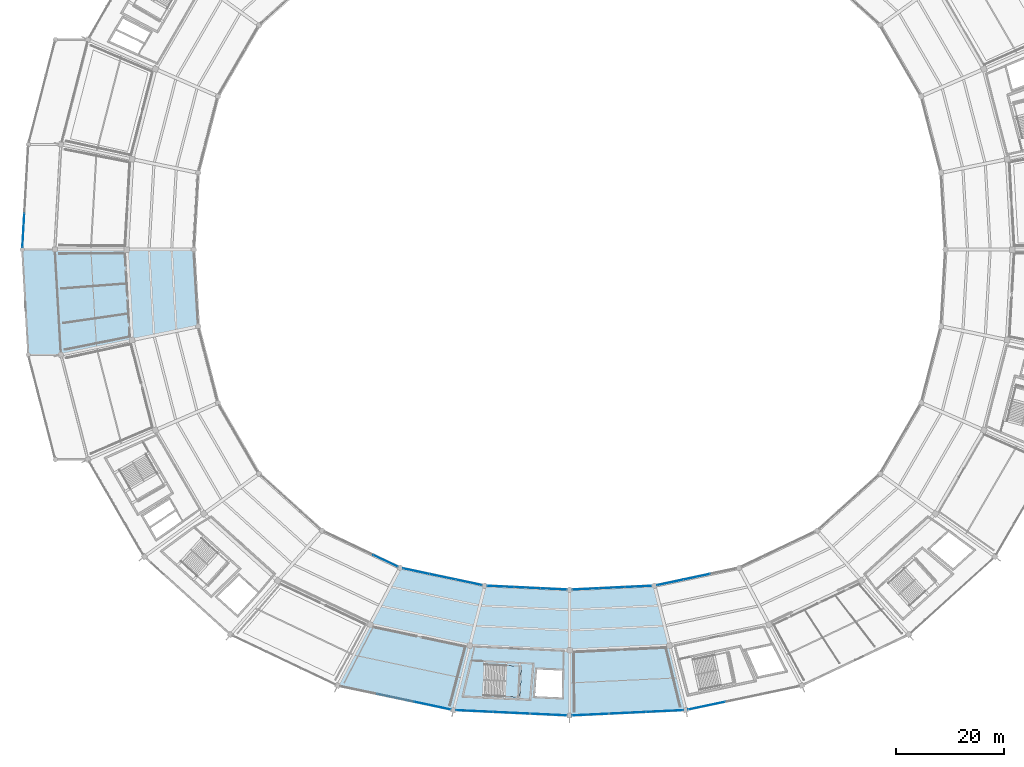
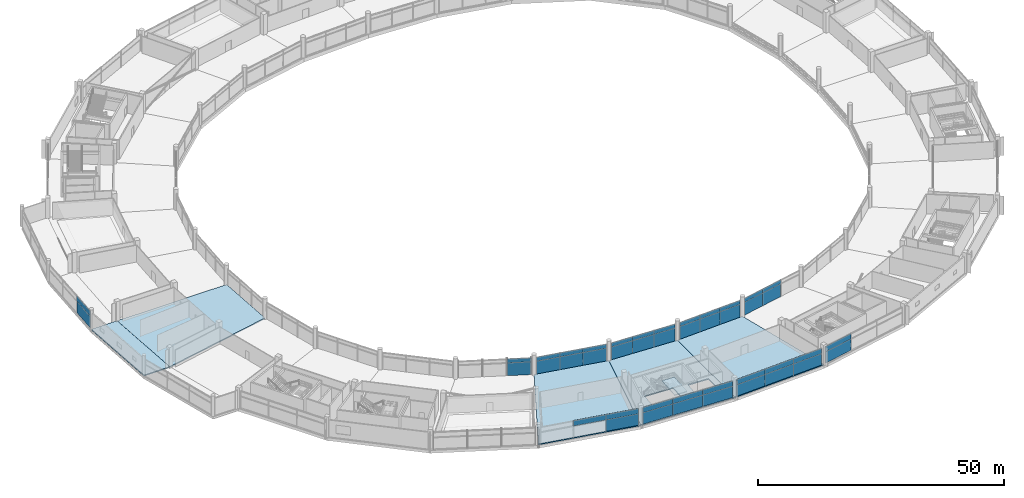
# One storey, part 138 of 184: 43 plates, 6 slabs, 11 elements without a shape of their own.
"""IFC4 building model written with IfcOpenShell, lengths in metres."""

from ifc_helpers import new_model, si_unit, direction, frame, origin, origin_2d, place, context, subcontext, project, spatial, polyline, rectangle, outline, extrude, material, layer, layer_set, type_object, element, aggregate, save


model = new_model("IFC4")

# Units and contexts
model_context = context("Model", 3, precision=1e-05, world=origin(), true_north=direction((0.0, 1.0)))
body_context = subcontext(model_context, "Body", "Model", "MODEL_VIEW")
ifc_project = project(units=[si_unit("LENGTHUNIT", "METRE"), si_unit("AREAUNIT", "SQUARE_METRE"), si_unit("VOLUMEUNIT", "CUBIC_METRE"), si_unit("PLANEANGLEUNIT", "RADIAN"), si_unit("MASSUNIT", "GRAM", prefix="KILO")], contexts=[model_context])

# Site, building, storey
site_placement = place(None, origin())
site = spatial("IfcSite", under=ifc_project, at=site_placement, CompositionType="ELEMENT")
building_placement = place(site_placement, origin())
building = spatial("IfcBuilding", under=site, at=building_placement, Name="Kazemori Nagisa Stadium", CompositionType="ELEMENT")
storey_placement = place(building_placement, frame((0.0, 0.0, 10.5400390625)))
storey = spatial("IfcBuildingStorey", under=building, at=storey_placement, Name="L02", CompositionType="ELEMENT", Elevation=10.5400390625)

# Curtain wall, plates
ifc_material_1 = material(Name="Anodised aluminium 6063-T5", Category="aluminium")
ifc_layer_1 = layer(ifc_material_1, 0.2099609375, Name="Anodised aluminium 6063-T5", Category="aluminium")
ifc_layer_set_1 = layer_set([ifc_layer_1], Name="Anodised aluminium 6063-T5")
curtain_wall_type_1 = type_object("IfcCurtainWallType", Name="CW_L02B_73", PredefinedType="USERDEFINED", material=ifc_layer_set_1)
curtain_wall_1_placement = place(storey_placement, origin())
curtain_wall_1 = element("IfcCurtainWall", 1, at=curtain_wall_1_placement, inside=storey, type_object=curtain_wall_type_1, Name="Unitised curtain wall CW-L02B-73 L02", ObjectType="UNITISED CURTAIN WALL", PredefinedType="USERDEFINED")
ifc_material_2 = material(Name="Anodised aluminium spandrel sheet", Category="aluminium")
ifc_layer_2 = layer(ifc_material_2, 0.044921875, Name="Anodised aluminium spandrel sheet", Category="aluminium")
ifc_layer_set_2 = layer_set([ifc_layer_2], Name="Anodised aluminium spandrel sheet")
plate_type_1 = type_object("IfcPlateType", Name="CWPanel_SPN_L02B_73", PredefinedType="CURTAIN_PANEL", material=ifc_layer_set_2)
plate_1_placement = place(storey_placement, frame((110.321044921875, 39.819580078125, 3.1845703125), z_axis=(0.0, 0.0, 1.0), x_axis=(0.998884022476, -0.047230388971, 0.0)))
plate_1 = element("IfcPlate", 2, at=plate_1_placement, type_object=plate_type_1, Name="Curtain wall spandrel panel CW-L02B-73-S1", PredefinedType="CURTAIN_PANEL", context=body_context, shape_type="SweptSolid", body=[
    extrude(rectangle(XDim=4.83935546875, YDim=0.044921875, at=origin_2d()), origin(), (0.0, 0.0, 1.0), 1.005615234375),
])
plate_2_placement = place(storey_placement, frame((115.178955078125, 39.58984375, 3.1845703125), z_axis=(0.0, 0.0, 1.0), x_axis=(0.998884022476, -0.047230388971, 0.0)))
plate_2 = element("IfcPlate", 3, at=plate_2_placement, type_object=plate_type_1, Name="Curtain wall spandrel panel CW-L02B-73-S2", PredefinedType="CURTAIN_PANEL", context=body_context, shape_type="SweptSolid", body=[
    extrude(rectangle(XDim=4.83935546875, YDim=0.044921875, at=origin_2d()), origin(), (0.0, 0.0, 1.0), 1.005615234375),
])
plate_3_placement = place(storey_placement, frame((120.03662109375, 39.360107421875, 3.1845703125), z_axis=(0.0, 0.0, 1.0), x_axis=(0.998884022476, -0.047230388971, 0.0)))
plate_3 = element("IfcPlate", 4, at=plate_3_placement, type_object=plate_type_1, Name="Curtain wall spandrel panel CW-L02B-73-S3", PredefinedType="CURTAIN_PANEL", context=body_context, shape_type="SweptSolid", body=[
    extrude(rectangle(XDim=4.83935546875, YDim=0.044921875, at=origin_2d()), origin(), (0.0, 0.0, 1.0), 1.005615234375),
])

curtain_wall_2_placement = place(storey_placement, origin())
curtain_wall_2 = element("IfcCurtainWall", 5, at=curtain_wall_2_placement, inside=storey, type_object=curtain_wall_type_1, Name="Unitised curtain wall CW-L02B-73 L02", ObjectType="UNITISED CURTAIN WALL", PredefinedType="USERDEFINED")
plate_4_placement = place(storey_placement, frame((125.96337890625, 39.360107421875, 3.1845703125), z_axis=(0.0, 0.0, 1.0), x_axis=(0.998884022476, 0.047230388971, 0.0)))
plate_4 = element("IfcPlate", 6, at=plate_4_placement, type_object=plate_type_1, Name="Curtain wall spandrel panel CW-L02B-73-S1", PredefinedType="CURTAIN_PANEL", context=body_context, shape_type="SweptSolid", body=[
    extrude(rectangle(XDim=4.83935546875, YDim=0.044921875, at=origin_2d()), origin(), (0.0, 0.0, 1.0), 1.005615234375),
])
plate_5_placement = place(storey_placement, frame((130.821044921875, 39.58984375, 3.1845703125), z_axis=(0.0, 0.0, 1.0), x_axis=(0.998884022476, 0.047230388971, 0.0)))
plate_5 = element("IfcPlate", 7, at=plate_5_placement, type_object=plate_type_1, Name="Curtain wall spandrel panel CW-L02B-73-S2", PredefinedType="CURTAIN_PANEL", context=body_context, shape_type="SweptSolid", body=[
    extrude(rectangle(XDim=4.83935546875, YDim=0.044921875, at=origin_2d()), origin(), (0.0, 0.0, 1.0), 1.005615234375),
])
plate_6_placement = place(storey_placement, frame((135.678955078125, 39.819580078125, 3.1845703125), z_axis=(0.0, 0.0, 1.0), x_axis=(0.998884022476, 0.047230388971, 0.0)))
plate_6 = element("IfcPlate", 8, at=plate_6_placement, type_object=plate_type_1, Name="Curtain wall spandrel panel CW-L02B-73-S3", PredefinedType="CURTAIN_PANEL", context=body_context, shape_type="SweptSolid", body=[
    extrude(rectangle(XDim=4.83935546875, YDim=0.044921875, at=origin_2d()), origin(), (0.0, 0.0, 1.0), 1.005615234375),
])

# Curtain wall, plate
ifc_layer_3 = layer(ifc_material_1, 0.2099609375, Name="Anodised aluminium 6063-T5", Category="aluminium")
ifc_layer_set_3 = layer_set([ifc_layer_3], Name="Anodised aluminium 6063-T5")
curtain_wall_type_2 = type_object("IfcCurtainWallType", Name="CW_L02B_75", PredefinedType="USERDEFINED", material=ifc_layer_set_3)
curtain_wall_3_placement = place(storey_placement, origin())
curtain_wall_3 = element("IfcCurtainWall", 9, at=curtain_wall_3_placement, inside=storey, type_object=curtain_wall_type_2, Name="Unitised curtain wall CW-L02B-75 L02", ObjectType="UNITISED CURTAIN WALL", PredefinedType="USERDEFINED")
ifc_layer_4 = layer(ifc_material_2, 0.044921875, Name="Anodised aluminium spandrel sheet", Category="aluminium")
ifc_layer_set_4 = layer_set([ifc_layer_4], Name="Anodised aluminium spandrel sheet")
plate_type_2 = type_object("IfcPlateType", Name="CWPanel_SPN_L02B_75", PredefinedType="CURTAIN_PANEL", material=ifc_layer_set_4)
plate_7_placement = place(storey_placement, frame((89.022216796875, 44.55859375, 3.1845703125), z_axis=(0.0, 0.0, 1.0), x_axis=(0.903215892654, -0.429186499388, 0.0)))
plate_7 = element("IfcPlate", 10, at=plate_7_placement, type_object=plate_type_2, Name="Curtain wall spandrel panel CW-L02B-75-S3", PredefinedType="CURTAIN_PANEL", context=body_context, shape_type="SweptSolid", body=[
    extrude(rectangle(XDim=4.95166015625, YDim=0.044921875, at=origin_2d()), origin(), (0.0, 0.0, 1.0), 1.005615234375),
])

# Curtain wall, plates
curtain_wall_4_placement = place(storey_placement, origin())
curtain_wall_4 = element("IfcCurtainWall", 11, at=curtain_wall_4_placement, inside=storey, type_object=curtain_wall_type_2, Name="Unitised curtain wall CW-L02B-75 L02", ObjectType="UNITISED CURTAIN WALL", PredefinedType="USERDEFINED")
plate_8_placement = place(storey_placement, frame((94.702392578125, 42.636962890625, 3.1845703125), z_axis=(0.0, 0.0, 1.0), x_axis=(0.978344955407, -0.206981033502, 0.0)))
plate_8 = element("IfcPlate", 12, at=plate_8_placement, type_object=plate_type_2, Name="Curtain wall spandrel panel CW-L02B-75-S1", PredefinedType="CURTAIN_PANEL", context=body_context, shape_type="SweptSolid", body=[
    extrude(rectangle(XDim=4.936279296875, YDim=0.044921875, at=origin_2d()), origin(), (0.0, 0.0, 1.0), 1.005615234375),
])
plate_9_placement = place(storey_placement, frame((99.55517578125, 41.6103515625, 3.1845703125), z_axis=(0.0, 0.0, 1.0), x_axis=(0.978344955407, -0.206981033502, 0.0)))
plate_9 = element("IfcPlate", 13, at=plate_9_placement, type_object=plate_type_2, Name="Curtain wall spandrel panel CW-L02B-75-S2", PredefinedType="CURTAIN_PANEL", context=body_context, shape_type="SweptSolid", body=[
    extrude(rectangle(XDim=4.936279296875, YDim=0.044921875, at=origin_2d()), origin(), (0.0, 0.0, 1.0), 1.005615234375),
])
plate_10_placement = place(storey_placement, frame((104.407958984375, 40.583740234375, 3.1845703125), z_axis=(0.0, 0.0, 1.0), x_axis=(0.978344955407, -0.206981033502, 0.0)))
plate_10 = element("IfcPlate", 14, at=plate_10_placement, type_object=plate_type_2, Name="Curtain wall spandrel panel CW-L02B-75-S3", PredefinedType="CURTAIN_PANEL", context=body_context, shape_type="SweptSolid", body=[
    extrude(rectangle(XDim=4.936279296875, YDim=0.044921875, at=origin_2d()), origin(), (0.0, 0.0, 1.0), 1.005615234375),
])

curtain_wall_5_placement = place(storey_placement, origin())
curtain_wall_5 = element("IfcCurtainWall", 15, at=curtain_wall_5_placement, inside=storey, type_object=curtain_wall_type_2, Name="Unitised curtain wall CW-L02B-75 L02", ObjectType="UNITISED CURTAIN WALL", PredefinedType="USERDEFINED")
plate_11_placement = place(storey_placement, frame((141.592041015625, 40.583740234375, 3.1845703125), z_axis=(0.0, 0.0, 1.0), x_axis=(0.978344955407, 0.206981033502, 0.0)))
plate_11 = element("IfcPlate", 16, at=plate_11_placement, type_object=plate_type_2, Name="Curtain wall spandrel panel CW-L02B-75-S1", PredefinedType="CURTAIN_PANEL", context=body_context, shape_type="SweptSolid", body=[
    extrude(rectangle(XDim=4.936279296875, YDim=0.044921875, at=origin_2d()), origin(), (0.0, 0.0, 1.0), 1.005615234375),
])
plate_12_placement = place(storey_placement, frame((146.44482421875, 41.6103515625, 3.1845703125), z_axis=(0.0, 0.0, 1.0), x_axis=(0.978344955407, 0.206981033502, 0.0)))
plate_12 = element("IfcPlate", 17, at=plate_12_placement, type_object=plate_type_2, Name="Curtain wall spandrel panel CW-L02B-75-S2", PredefinedType="CURTAIN_PANEL", context=body_context, shape_type="SweptSolid", body=[
    extrude(rectangle(XDim=4.936279296875, YDim=0.044921875, at=origin_2d()), origin(), (0.0, 0.0, 1.0), 1.005615234375),
])

ifc_layer_5 = layer(ifc_material_1, 0.2099609375, Name="Anodised aluminium 6063-T5", Category="aluminium")
ifc_layer_set_5 = layer_set([ifc_layer_5], Name="Anodised aluminium 6063-T5")
curtain_wall_type_3 = type_object("IfcCurtainWallType", Name="CW_L02R3_103", PredefinedType="USERDEFINED", material=ifc_layer_set_5)
curtain_wall_6_placement = place(storey_placement, origin())
curtain_wall_6 = element("IfcCurtainWall", 18, at=curtain_wall_6_placement, inside=storey, type_object=curtain_wall_type_3, Name="Unitised curtain wall CW-L02R3-103 L02", ObjectType="UNITISED CURTAIN WALL", PredefinedType="USERDEFINED")
ifc_layer_6 = layer(ifc_material_2, 0.048095703125, Name="Anodised aluminium spandrel sheet", Category="aluminium")
ifc_layer_set_6 = layer_set([ifc_layer_6], Name="Anodised aluminium spandrel sheet")
plate_type_3 = type_object("IfcPlateType", Name="CWPanel_SPN_L02R3_103", PredefinedType="CURTAIN_PANEL", material=ifc_layer_set_6)
plate_13_placement = place(storey_placement, frame((105.4599609375, 16.829345703125, 2.84912109375), z_axis=(0.0, 0.0, 1.0), x_axis=(0.998884022476, -0.047230388971, 0.0)))
plate_13 = element("IfcPlate", 19, at=plate_13_placement, type_object=plate_type_3, Name="Curtain wall spandrel panel CW-L02R3-103-S1", PredefinedType="CURTAIN_PANEL", context=body_context, shape_type="SweptSolid", body=[
    extrude(rectangle(XDim=6.81005859375, YDim=0.048095703125, at=origin_2d()), origin(), (0.0, 0.0, 1.0), 1.3408203125),
])
plate_14_placement = place(storey_placement, frame((112.2861328125, 16.506591796875, 2.84912109375), z_axis=(0.0, 0.0, 1.0), x_axis=(0.998884022476, -0.047230388971, 0.0)))
plate_14 = element("IfcPlate", 20, at=plate_14_placement, type_object=plate_type_3, Name="Curtain wall spandrel panel CW-L02R3-103-S2", PredefinedType="CURTAIN_PANEL", context=body_context, shape_type="SweptSolid", body=[
    extrude(rectangle(XDim=6.81005859375, YDim=0.048095703125, at=origin_2d()), origin(), (0.0, 0.0, 1.0), 1.3408203125),
])
plate_15_placement = place(storey_placement, frame((119.1123046875, 16.183837890625, 2.84912109375), z_axis=(0.0, 0.0, 1.0), x_axis=(0.998884022476, -0.047230388971, 0.0)))
plate_15 = element("IfcPlate", 21, at=plate_15_placement, type_object=plate_type_3, Name="Curtain wall spandrel panel CW-L02R3-103-S3", PredefinedType="CURTAIN_PANEL", context=body_context, shape_type="SweptSolid", body=[
    extrude(rectangle(XDim=6.81005859375, YDim=0.048095703125, at=origin_2d()), origin(), (0.0, 0.0, 1.0), 1.3408203125),
])

curtain_wall_7_placement = place(storey_placement, origin())
curtain_wall_7 = element("IfcCurtainWall", 22, at=curtain_wall_7_placement, inside=storey, type_object=curtain_wall_type_3, Name="Unitised curtain wall CW-L02R3-103 L02", ObjectType="UNITISED CURTAIN WALL", PredefinedType="USERDEFINED")
plate_16_placement = place(storey_placement, frame((126.8876953125, 16.183837890625, 2.84912109375), z_axis=(0.0, 0.0, 1.0), x_axis=(0.998884022476, 0.047230388971, 0.0)))
plate_16 = element("IfcPlate", 23, at=plate_16_placement, type_object=plate_type_3, Name="Curtain wall spandrel panel CW-L02R3-103-S1", PredefinedType="CURTAIN_PANEL", context=body_context, shape_type="SweptSolid", body=[
    extrude(rectangle(XDim=6.81005859375, YDim=0.048095703125, at=origin_2d()), origin(), (0.0, 0.0, 1.0), 1.3408203125),
])
plate_17_placement = place(storey_placement, frame((133.7138671875, 16.506591796875, 2.84912109375), z_axis=(0.0, 0.0, 1.0), x_axis=(0.998884022476, 0.047230388971, 0.0)))
plate_17 = element("IfcPlate", 24, at=plate_17_placement, type_object=plate_type_3, Name="Curtain wall spandrel panel CW-L02R3-103-S2", PredefinedType="CURTAIN_PANEL", context=body_context, shape_type="SweptSolid", body=[
    extrude(rectangle(XDim=6.81005859375, YDim=0.048095703125, at=origin_2d()), origin(), (0.0, 0.0, 1.0), 1.3408203125),
])
plate_18_placement = place(storey_placement, frame((140.5400390625, 16.829345703125, 2.84912109375), z_axis=(0.0, 0.0, 1.0), x_axis=(0.998884022476, 0.047230388971, 0.0)))
plate_18 = element("IfcPlate", 25, at=plate_18_placement, type_object=plate_type_3, Name="Curtain wall spandrel panel CW-L02R3-103-S3", PredefinedType="CURTAIN_PANEL", context=body_context, shape_type="SweptSolid", body=[
    extrude(rectangle(XDim=6.81005859375, YDim=0.048095703125, at=origin_2d()), origin(), (0.0, 0.0, 1.0), 1.3408203125),
])

ifc_layer_7 = layer(ifc_material_1, 0.2099609375, Name="Anodised aluminium 6063-T5", Category="aluminium")
ifc_layer_set_7 = layer_set([ifc_layer_7], Name="Anodised aluminium 6063-T5")
curtain_wall_type_4 = type_object("IfcCurtainWallType", Name="CW_L02R3_105", PredefinedType="USERDEFINED", material=ifc_layer_set_7)
curtain_wall_8_placement = place(storey_placement, origin())
curtain_wall_8 = element("IfcCurtainWall", 26, at=curtain_wall_8_placement, inside=storey, type_object=curtain_wall_type_4, Name="Unitised curtain wall CW-L02R3-105 L02", ObjectType="UNITISED CURTAIN WALL", PredefinedType="USERDEFINED")
ifc_layer_8 = layer(ifc_material_2, 0.048095703125, Name="Anodised aluminium spandrel sheet", Category="aluminium")
ifc_layer_set_8 = layer_set([ifc_layer_8], Name="Anodised aluminium spandrel sheet")
plate_type_4 = type_object("IfcPlateType", Name="CWPanel_SPN_L02R3_105", PredefinedType="CURTAIN_PANEL", material=ifc_layer_set_8)
plate_19_placement = place(storey_placement, frame((90.8837890625, 19.2744140625, 2.84912109375), z_axis=(0.0, 0.0, 1.0), x_axis=(0.978344955407, -0.206981033502, 0.0)))
plate_19 = element("IfcPlate", 27, at=plate_19_placement, type_object=plate_type_4, Name="Curtain wall spandrel panel CW-L02R3-105-S2", PredefinedType="CURTAIN_PANEL", context=body_context, shape_type="SweptSolid", body=[
    extrude(rectangle(XDim=6.942626953125, YDim=0.048095703125, at=origin_2d()), origin(), (0.0, 0.0, 1.0), 1.3408203125),
])
plate_20_placement = place(storey_placement, frame((97.69970703125, 17.83251953125, 2.84912109375), z_axis=(0.0, 0.0, 1.0), x_axis=(0.978344955407, -0.206981033502, 0.0)))
plate_20 = element("IfcPlate", 28, at=plate_20_placement, type_object=plate_type_4, Name="Curtain wall spandrel panel CW-L02R3-105-S3", PredefinedType="CURTAIN_PANEL", context=body_context, shape_type="SweptSolid", body=[
    extrude(rectangle(XDim=6.942626953125, YDim=0.048095703125, at=origin_2d()), origin(), (0.0, 0.0, 1.0), 1.3408203125),
])

# Curtain wall, plate
curtain_wall_9_placement = place(storey_placement, origin())
curtain_wall_9 = element("IfcCurtainWall", 29, at=curtain_wall_9_placement, inside=storey, type_object=curtain_wall_type_4, Name="Unitised curtain wall CW-L02R3-105 L02", ObjectType="UNITISED CURTAIN WALL", PredefinedType="USERDEFINED")
plate_21_placement = place(storey_placement, frame((148.30029296875, 17.83251953125, 2.84912109375), z_axis=(0.0, 0.0, 1.0), x_axis=(0.978344955407, 0.206981033502, 0.0)))
plate_21 = element("IfcPlate", 30, at=plate_21_placement, type_object=plate_type_4, Name="Curtain wall spandrel panel CW-L02R3-105-S1", PredefinedType="CURTAIN_PANEL", context=body_context, shape_type="SweptSolid", body=[
    extrude(rectangle(XDim=6.942626953125, YDim=0.048095703125, at=origin_2d()), origin(), (0.0, 0.0, 1.0), 1.3408203125),
])

ifc_layer_9 = layer(ifc_material_1, 0.2099609375, Name="Anodised aluminium 6063-T5", Category="aluminium")
ifc_layer_set_9 = layer_set([ifc_layer_9], Name="Anodised aluminium 6063-T5")
curtain_wall_type_5 = type_object("IfcCurtainWallType", Name="CW_L02R3_93", PredefinedType="USERDEFINED", material=ifc_layer_set_9)
curtain_wall_10_placement = place(storey_placement, origin())
curtain_wall_10 = element("IfcCurtainWall", 31, at=curtain_wall_10_placement, inside=storey, type_object=curtain_wall_type_5, Name="Unitised curtain wall CW-L02R3-93 L02", ObjectType="UNITISED CURTAIN WALL", PredefinedType="USERDEFINED")
ifc_layer_10 = layer(ifc_material_2, 0.048095703125, Name="Anodised aluminium spandrel sheet", Category="aluminium")
ifc_layer_set_10 = layer_set([ifc_layer_10], Name="Anodised aluminium spandrel sheet")
plate_type_5 = type_object("IfcPlateType", Name="CWPanel_SPN_L02R3_93", PredefinedType="CURTAIN_PANEL", material=ifc_layer_set_10)
plate_22_placement = place(storey_placement, frame((22.20361328125, 105.529052734375, 2.84912109375), z_axis=(0.0, 0.0, 1.0), x_axis=(-0.057601670941, -0.998339645364, 0.0)))
plate_22 = element("IfcPlate", 32, at=plate_22_placement, type_object=plate_type_5, Name="Curtain wall spandrel panel CW-L02R3-93-S3", PredefinedType="CURTAIN_PANEL", context=body_context, shape_type="SweptSolid", body=[
    extrude(rectangle(XDim=6.156005859375, YDim=0.048095703125, at=origin_2d()), origin(), (0.0, 0.0, 1.0), 1.3408203125),
])

# Plate
ifc_material_3 = material(Name="Low-e laminated double glazing", Category="glass")
ifc_layer_11 = layer(ifc_material_3, 0.031982421875, Name="Low-e laminated double glazing", Category="glass")
ifc_layer_set_11 = layer_set([ifc_layer_11], Name="Low-e laminated double glazing")
plate_type_6 = type_object("IfcPlateType", Name="CWPanel_VIS_L02B_73", PredefinedType="CURTAIN_PANEL", material=ifc_layer_set_11)
plate_23_placement = place(storey_placement, frame((110.321044921875, 39.819580078125, 0.0), z_axis=(0.0, 0.0, 1.0), x_axis=(0.998884022476, -0.047230388971, 0.0)))
plate_23 = element("IfcPlate", 33, at=plate_23_placement, type_object=plate_type_6, Name="Curtain wall vision panel CW-L02B-73-V1", PredefinedType="CURTAIN_PANEL", context=body_context, shape_type="SweptSolid", body=[
    extrude(rectangle(XDim=4.83935546875, YDim=0.031982421875, at=origin_2d()), origin(), (0.0, 0.0, 1.0), 3.184326171875),
])

plate_24_placement = place(storey_placement, frame((115.178955078125, 39.58984375, 0.0), z_axis=(0.0, 0.0, 1.0), x_axis=(0.998884022476, -0.047230388971, 0.0)))
plate_24 = element("IfcPlate", 34, at=plate_24_placement, type_object=plate_type_6, Name="Curtain wall vision panel CW-L02B-73-V2", PredefinedType="CURTAIN_PANEL", context=body_context, shape_type="SweptSolid", body=[
    extrude(rectangle(XDim=4.83935546875, YDim=0.031982421875, at=origin_2d()), origin(), (0.0, 0.0, 1.0), 3.184326171875),
])

plate_25_placement = place(storey_placement, frame((120.03662109375, 39.360107421875, 0.0), z_axis=(0.0, 0.0, 1.0), x_axis=(0.998884022476, -0.047230388971, 0.0)))
plate_25 = element("IfcPlate", 35, at=plate_25_placement, type_object=plate_type_6, Name="Curtain wall vision panel CW-L02B-73-V3", PredefinedType="CURTAIN_PANEL", context=body_context, shape_type="SweptSolid", body=[
    extrude(rectangle(XDim=4.83935546875, YDim=0.031982421875, at=origin_2d()), origin(), (0.0, 0.0, 1.0), 3.184326171875),
])

aggregate(curtain_wall_1, [plate_23, plate_1, plate_24, plate_2, plate_25, plate_3])

plate_26_placement = place(storey_placement, frame((125.96337890625, 39.360107421875, 0.0), z_axis=(0.0, 0.0, 1.0), x_axis=(0.998884022476, 0.047230388971, 0.0)))
plate_26 = element("IfcPlate", 36, at=plate_26_placement, type_object=plate_type_6, Name="Curtain wall vision panel CW-L02B-73-V1", PredefinedType="CURTAIN_PANEL", context=body_context, shape_type="SweptSolid", body=[
    extrude(rectangle(XDim=4.83935546875, YDim=0.031982421875, at=origin_2d()), origin(), (0.0, 0.0, 1.0), 3.184326171875),
])

plate_27_placement = place(storey_placement, frame((130.821044921875, 39.58984375, 0.0), z_axis=(0.0, 0.0, 1.0), x_axis=(0.998884022476, 0.047230388971, 0.0)))
plate_27 = element("IfcPlate", 37, at=plate_27_placement, type_object=plate_type_6, Name="Curtain wall vision panel CW-L02B-73-V2", PredefinedType="CURTAIN_PANEL", context=body_context, shape_type="SweptSolid", body=[
    extrude(rectangle(XDim=4.83935546875, YDim=0.031982421875, at=origin_2d()), origin(), (0.0, 0.0, 1.0), 3.184326171875),
])

plate_28_placement = place(storey_placement, frame((135.678955078125, 39.819580078125, 0.0), z_axis=(0.0, 0.0, 1.0), x_axis=(0.998884022476, 0.047230388971, 0.0)))
plate_28 = element("IfcPlate", 38, at=plate_28_placement, type_object=plate_type_6, Name="Curtain wall vision panel CW-L02B-73-V3", PredefinedType="CURTAIN_PANEL", context=body_context, shape_type="SweptSolid", body=[
    extrude(rectangle(XDim=4.83935546875, YDim=0.031982421875, at=origin_2d()), origin(), (0.0, 0.0, 1.0), 3.184326171875),
])

aggregate(curtain_wall_2, [plate_26, plate_4, plate_27, plate_5, plate_28, plate_6])

ifc_layer_12 = layer(ifc_material_3, 0.031982421875, Name="Low-e laminated double glazing", Category="glass")
ifc_layer_set_12 = layer_set([ifc_layer_12], Name="Low-e laminated double glazing")
plate_type_7 = type_object("IfcPlateType", Name="CWPanel_VIS_L02B_75", PredefinedType="CURTAIN_PANEL", material=ifc_layer_set_12)
plate_29_placement = place(storey_placement, frame((89.022216796875, 44.55859375, 0.0), z_axis=(0.0, 0.0, 1.0), x_axis=(0.903215892654, -0.429186499388, 0.0)))
plate_29 = element("IfcPlate", 39, at=plate_29_placement, type_object=plate_type_7, Name="Curtain wall vision panel CW-L02B-75-V3", PredefinedType="CURTAIN_PANEL", context=body_context, shape_type="SweptSolid", body=[
    extrude(rectangle(XDim=4.95166015625, YDim=0.031982421875, at=origin_2d()), origin(), (0.0, 0.0, 1.0), 3.184326171875),
])

aggregate(curtain_wall_3, [plate_29, plate_7])

plate_30_placement = place(storey_placement, frame((94.702392578125, 42.636962890625, 0.0), z_axis=(0.0, 0.0, 1.0), x_axis=(0.978344955407, -0.206981033502, 0.0)))
plate_30 = element("IfcPlate", 40, at=plate_30_placement, type_object=plate_type_7, Name="Curtain wall vision panel CW-L02B-75-V1", PredefinedType="CURTAIN_PANEL", context=body_context, shape_type="SweptSolid", body=[
    extrude(rectangle(XDim=4.936279296875, YDim=0.031982421875, at=origin_2d()), origin(), (0.0, 0.0, 1.0), 3.184326171875),
])

plate_31_placement = place(storey_placement, frame((99.55517578125, 41.6103515625, 0.0), z_axis=(0.0, 0.0, 1.0), x_axis=(0.978344955407, -0.206981033502, 0.0)))
plate_31 = element("IfcPlate", 41, at=plate_31_placement, type_object=plate_type_7, Name="Curtain wall vision panel CW-L02B-75-V2", PredefinedType="CURTAIN_PANEL", context=body_context, shape_type="SweptSolid", body=[
    extrude(rectangle(XDim=4.936279296875, YDim=0.031982421875, at=origin_2d()), origin(), (0.0, 0.0, 1.0), 3.184326171875),
])

plate_32_placement = place(storey_placement, frame((104.407958984375, 40.583740234375, 0.0), z_axis=(0.0, 0.0, 1.0), x_axis=(0.978344955407, -0.206981033502, 0.0)))
plate_32 = element("IfcPlate", 42, at=plate_32_placement, type_object=plate_type_7, Name="Curtain wall vision panel CW-L02B-75-V3", PredefinedType="CURTAIN_PANEL", context=body_context, shape_type="SweptSolid", body=[
    extrude(rectangle(XDim=4.936279296875, YDim=0.031982421875, at=origin_2d()), origin(), (0.0, 0.0, 1.0), 3.184326171875),
])

aggregate(curtain_wall_4, [plate_30, plate_8, plate_31, plate_9, plate_32, plate_10])

plate_33_placement = place(storey_placement, frame((141.592041015625, 40.583740234375, 0.0), z_axis=(0.0, 0.0, 1.0), x_axis=(0.978344955407, 0.206981033502, 0.0)))
plate_33 = element("IfcPlate", 43, at=plate_33_placement, type_object=plate_type_7, Name="Curtain wall vision panel CW-L02B-75-V1", PredefinedType="CURTAIN_PANEL", context=body_context, shape_type="SweptSolid", body=[
    extrude(rectangle(XDim=4.936279296875, YDim=0.031982421875, at=origin_2d()), origin(), (0.0, 0.0, 1.0), 3.184326171875),
])

plate_34_placement = place(storey_placement, frame((146.44482421875, 41.6103515625, 0.0), z_axis=(0.0, 0.0, 1.0), x_axis=(0.978344955407, 0.206981033502, 0.0)))
plate_34 = element("IfcPlate", 44, at=plate_34_placement, type_object=plate_type_7, Name="Curtain wall vision panel CW-L02B-75-V2", PredefinedType="CURTAIN_PANEL", context=body_context, shape_type="SweptSolid", body=[
    extrude(rectangle(XDim=4.936279296875, YDim=0.031982421875, at=origin_2d()), origin(), (0.0, 0.0, 1.0), 3.184326171875),
])

aggregate(curtain_wall_5, [plate_33, plate_11, plate_34, plate_12])

ifc_layer_13 = layer(ifc_material_3, 0.030029296875, Name="Low-e laminated double glazing", Category="glass")
ifc_layer_set_13 = layer_set([ifc_layer_13], Name="Low-e laminated double glazing")
plate_type_8 = type_object("IfcPlateType", Name="CWPanel_VIS_L02R3_103", PredefinedType="CURTAIN_PANEL", material=ifc_layer_set_13)
plate_35_placement = place(storey_placement, frame((105.4599609375, 16.829345703125, 0.0), z_axis=(0.0, 0.0, 1.0), x_axis=(0.998884022476, -0.047230388971, 0.0)))
plate_35 = element("IfcPlate", 45, at=plate_35_placement, type_object=plate_type_8, Name="Curtain wall vision panel CW-L02R3-103-V1", PredefinedType="CURTAIN_PANEL", context=body_context, shape_type="SweptSolid", body=[
    extrude(rectangle(XDim=6.81005859375, YDim=0.030029296875, at=origin_2d()), origin(), (0.0, 0.0, 1.0), 2.84912109375),
])

plate_36_placement = place(storey_placement, frame((112.2861328125, 16.506591796875, 0.0), z_axis=(0.0, 0.0, 1.0), x_axis=(0.998884022476, -0.047230388971, 0.0)))
plate_36 = element("IfcPlate", 46, at=plate_36_placement, type_object=plate_type_8, Name="Curtain wall vision panel CW-L02R3-103-V2", PredefinedType="CURTAIN_PANEL", context=body_context, shape_type="SweptSolid", body=[
    extrude(rectangle(XDim=6.81005859375, YDim=0.030029296875, at=origin_2d()), origin(), (0.0, 0.0, 1.0), 2.84912109375),
])

plate_37_placement = place(storey_placement, frame((119.1123046875, 16.183837890625, 0.0), z_axis=(0.0, 0.0, 1.0), x_axis=(0.998884022476, -0.047230388971, 0.0)))
plate_37 = element("IfcPlate", 47, at=plate_37_placement, type_object=plate_type_8, Name="Curtain wall vision panel CW-L02R3-103-V3", PredefinedType="CURTAIN_PANEL", context=body_context, shape_type="SweptSolid", body=[
    extrude(rectangle(XDim=6.81005859375, YDim=0.030029296875, at=origin_2d()), origin(), (0.0, 0.0, 1.0), 2.84912109375),
])

aggregate(curtain_wall_6, [plate_35, plate_13, plate_36, plate_14, plate_37, plate_15])

plate_38_placement = place(storey_placement, frame((126.8876953125, 16.183837890625, 0.0), z_axis=(0.0, 0.0, 1.0), x_axis=(0.998884022476, 0.047230388971, 0.0)))
plate_38 = element("IfcPlate", 48, at=plate_38_placement, type_object=plate_type_8, Name="Curtain wall vision panel CW-L02R3-103-V1", PredefinedType="CURTAIN_PANEL", context=body_context, shape_type="SweptSolid", body=[
    extrude(rectangle(XDim=6.81005859375, YDim=0.030029296875, at=origin_2d()), origin(), (0.0, 0.0, 1.0), 2.84912109375),
])

plate_39_placement = place(storey_placement, frame((133.7138671875, 16.506591796875, 0.0), z_axis=(0.0, 0.0, 1.0), x_axis=(0.998884022476, 0.047230388971, 0.0)))
plate_39 = element("IfcPlate", 49, at=plate_39_placement, type_object=plate_type_8, Name="Curtain wall vision panel CW-L02R3-103-V2", PredefinedType="CURTAIN_PANEL", context=body_context, shape_type="SweptSolid", body=[
    extrude(rectangle(XDim=6.81005859375, YDim=0.030029296875, at=origin_2d()), origin(), (0.0, 0.0, 1.0), 2.84912109375),
])

plate_40_placement = place(storey_placement, frame((140.5400390625, 16.829345703125, 0.0), z_axis=(0.0, 0.0, 1.0), x_axis=(0.998884022476, 0.047230388971, 0.0)))
plate_40 = element("IfcPlate", 50, at=plate_40_placement, type_object=plate_type_8, Name="Curtain wall vision panel CW-L02R3-103-V3", PredefinedType="CURTAIN_PANEL", context=body_context, shape_type="SweptSolid", body=[
    extrude(rectangle(XDim=6.81005859375, YDim=0.030029296875, at=origin_2d()), origin(), (0.0, 0.0, 1.0), 2.84912109375),
])

aggregate(curtain_wall_7, [plate_38, plate_16, plate_39, plate_17, plate_40, plate_18])

ifc_layer_14 = layer(ifc_material_3, 0.030029296875, Name="Low-e laminated double glazing", Category="glass")
ifc_layer_set_14 = layer_set([ifc_layer_14], Name="Low-e laminated double glazing")
plate_type_9 = type_object("IfcPlateType", Name="CWPanel_VIS_L02R3_105", PredefinedType="CURTAIN_PANEL", material=ifc_layer_set_14)
plate_41_placement = place(storey_placement, frame((97.69970703125, 17.83251953125, 0.0), z_axis=(0.0, 0.0, 1.0), x_axis=(0.978344955407, -0.206981033502, 0.0)))
plate_41 = element("IfcPlate", 51, at=plate_41_placement, type_object=plate_type_9, Name="Curtain wall vision panel CW-L02R3-105-V3", PredefinedType="CURTAIN_PANEL", context=body_context, shape_type="SweptSolid", body=[
    extrude(rectangle(XDim=6.942626953125, YDim=0.030029296875, at=origin_2d()), origin(), (0.0, 0.0, 1.0), 2.84912109375),
])

aggregate(curtain_wall_8, [plate_19, plate_41, plate_20])

plate_42_placement = place(storey_placement, frame((148.30029296875, 17.83251953125, 0.0), z_axis=(0.0, 0.0, 1.0), x_axis=(0.978344955407, 0.206981033502, 0.0)))
plate_42 = element("IfcPlate", 52, at=plate_42_placement, type_object=plate_type_9, Name="Curtain wall vision panel CW-L02R3-105-V1", PredefinedType="CURTAIN_PANEL", context=body_context, shape_type="SweptSolid", body=[
    extrude(rectangle(XDim=6.942626953125, YDim=0.030029296875, at=origin_2d()), origin(), (0.0, 0.0, 1.0), 2.84912109375),
])

aggregate(curtain_wall_9, [plate_42, plate_21])

ifc_layer_15 = layer(ifc_material_3, 0.030029296875, Name="Low-e laminated double glazing", Category="glass")
ifc_layer_set_15 = layer_set([ifc_layer_15], Name="Low-e laminated double glazing")
plate_type_10 = type_object("IfcPlateType", Name="CWPanel_VIS_L02R3_93", PredefinedType="CURTAIN_PANEL", material=ifc_layer_set_15)
plate_43_placement = place(storey_placement, frame((22.20361328125, 105.529052734375, 0.0), z_axis=(0.0, 0.0, 1.0), x_axis=(-0.057601670941, -0.998339645364, 0.0)))
plate_43 = element("IfcPlate", 53, at=plate_43_placement, type_object=plate_type_10, Name="Curtain wall vision panel CW-L02R3-93-V3", PredefinedType="CURTAIN_PANEL", context=body_context, shape_type="SweptSolid", body=[
    extrude(rectangle(XDim=6.156005859375, YDim=0.030029296875, at=origin_2d()), origin(), (0.0, 0.0, 1.0), 2.84912109375),
])

aggregate(curtain_wall_10, [plate_43, plate_22])

# Slabs
ifc_material_4 = material(Name="Concrete C36/45 (Fc36)", Category="concrete")
ifc_layer_16 = layer(ifc_material_4, 0.260009765625, Name="Concrete C36/45 (Fc36)", Category="concrete")
ifc_layer_set_16 = layer_set([ifc_layer_16], Name="Concrete C36/45 (Fc36)")
slab_type_1 = type_object("IfcSlabType", Name="Slab_SL-CONC-260", PredefinedType="FLOOR", material=ifc_layer_set_16)
slab_1_placement = place(storey_placement, frame((0.0, 0.0, -0.260009765625)))
element("IfcSlab", 54, at=slab_1_placement, inside=storey, type_object=slab_type_1, Name="Concourse floor slab L02 bay 15", PredefinedType="FLOOR", context=body_context, shape_type="SweptSolid", body=[
    extrude(outline(polyline([(53.64990234375, 102.0), (54.467041015625, 87.839599609375), (29.119140625, 82.602294921875), (28.0, 102.0), (53.64990234375, 102.0)])), origin(), (0.0, 0.0, 1.0), 0.260009765625),
])
slab_2_placement = place(storey_placement, frame((0.0, 0.0, -0.260009765625)))
element("IfcSlab", 55, at=slab_2_placement, inside=storey, type_object=slab_type_1, Name="Concourse floor slab L02 bay 20", PredefinedType="FLOOR", context=body_context, shape_type="SweptSolid", body=[
    extrude(outline(polyline([(91.75244140625, 43.260986328125), (107.35791015625, 39.959716796875), (101.572265625, 17.01318359375), (80.1953125, 21.53564453125), (91.75244140625, 43.260986328125)])), origin(), (0.0, 0.0, 1.0), 0.260009765625),
])
slab_3_placement = place(storey_placement, frame((0.0, 0.0, -0.260009765625)))
element("IfcSlab", 56, at=slab_3_placement, inside=storey, type_object=slab_type_1, Name="Concourse floor slab L02 bay 21", PredefinedType="FLOOR", context=body_context, shape_type="SweptSolid", body=[
    extrude(outline(polyline([(107.35791015625, 39.959716796875), (123.0, 39.219970703125), (123.0, 16.0), (101.572265625, 17.01318359375), (107.35791015625, 39.959716796875)]), holes=[polyline([(107.32470703125, 25.434814453125), (113.842529296875, 25.126708984375), (113.5732421875, 19.43310546875), (107.0556640625, 19.7412109375), (107.32470703125, 25.434814453125)]), polyline([(116.9951171875, 24.5400390625), (121.64404296875, 24.320068359375), (121.55712890625, 19.336181640625), (116.60986328125, 19.570068359375), (116.9951171875, 24.5400390625)])]), origin(), (0.0, 0.0, 1.0), 0.260009765625),
])
slab_4_placement = place(storey_placement, frame((0.0, 0.0, -0.260009765625)))
element("IfcSlab", 57, at=slab_4_placement, inside=storey, type_object=slab_type_1, Name="Concourse floor slab L02 bay 22", PredefinedType="FLOOR", context=body_context, shape_type="SweptSolid", body=[
    extrude(outline(polyline([(123.0, 39.219970703125), (138.64208984375, 39.959716796875), (144.427734375, 17.01318359375), (123.0, 16.0), (123.0, 39.219970703125)])), origin(), (0.0, 0.0, 1.0), 0.260009765625),
])
slab_5_placement = place(storey_placement, frame((0.0, 0.0, -0.260009765625)))
element("IfcSlab", 58, at=slab_5_placement, inside=storey, type_object=slab_type_1, Name="West grandstand floor slab L02 B15", PredefinedType="FLOOR", context=body_context, shape_type="SweptSolid", body=[
    extrude(outline(polyline([(28.0, 102.0), (29.119140625, 82.602294921875), (23.119140625, 82.602294921875), (22.0, 102.0), (28.0, 102.0)])), origin(), (0.0, 0.0, 1.0), 0.260009765625),
])

# Stair, slab
stair_type = type_object("IfcStairType", Name="Stair_CORE_30", PredefinedType="TWO_STRAIGHT_RUN_STAIR", material=ifc_material_4)
stair_placement = place(storey_placement, origin())
stair = element("IfcStair", 59, at=stair_placement, inside=storey, type_object=stair_type, Name="Exit stair ST12 L02", PredefinedType="TWO_STRAIGHT_RUN_STAIR")
ifc_layer_17 = layer(ifc_material_4, 0.199951171875, Name="Concrete C36/45 (Fc36)", Category="concrete")
ifc_layer_set_17 = layer_set([ifc_layer_17], Name="Concrete C36/45 (Fc36)")
slab_type_2 = type_object("IfcSlabType", Name="Slab_SL-LND-200", PredefinedType="LANDING", material=ifc_layer_set_17)
slab_6_placement = place(storey_placement, frame((0.0, 0.0, 2.349853515625)))
slab_6 = element("IfcSlab", 60, at=slab_6_placement, type_object=slab_type_2, Name="Exit stair ST12 L02 mid-landing", PredefinedType="LANDING", context=body_context, shape_type="SweptSolid", body=[
    extrude(outline(polyline([(111.2802734375, 25.247802734375), (114.127197265625, 25.11328125), (113.85791015625, 19.419677734375), (111.01123046875, 19.55419921875), (111.2802734375, 25.247802734375)])), origin(), (0.0, 0.0, 1.0), 0.2001953125),
])
aggregate(stair, [slab_6])

save(model, "model.ifc")
